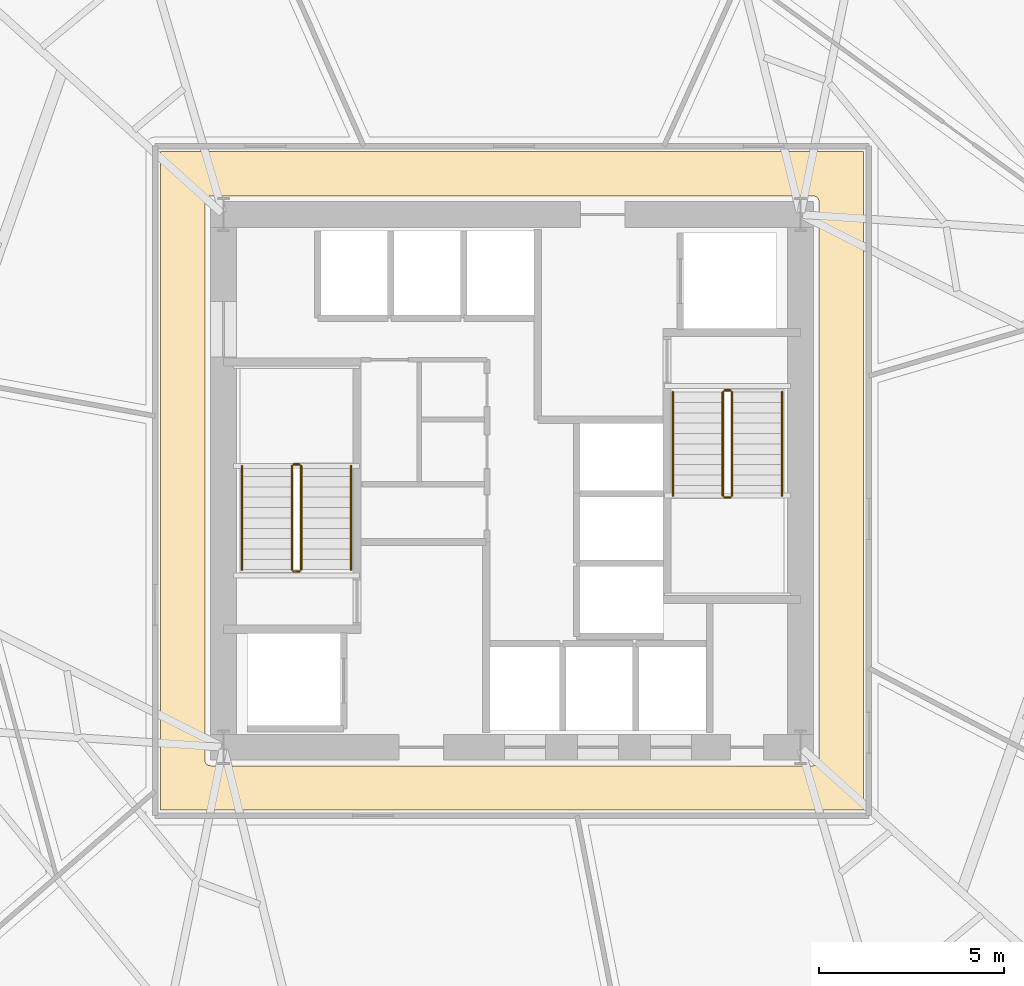
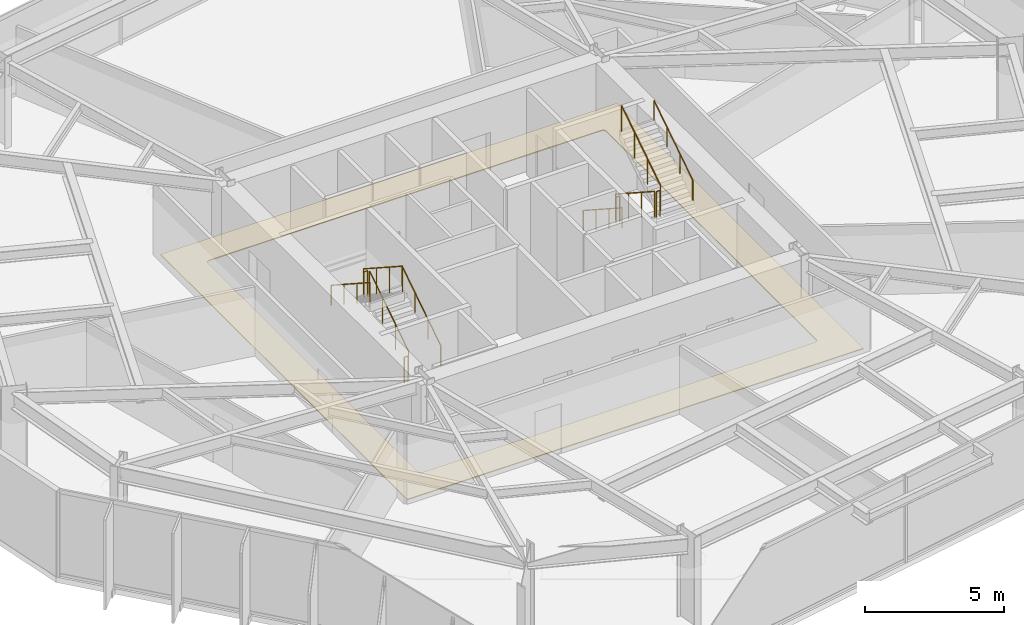
# One storey, part 9 of 10: 12 railings, 1 covering.
"""IFC4 building model written with IfcOpenShell, lengths in metres."""

from ifc_helpers import new_model, si_unit, direction, frame, origin, origin_2d, place, context, subcontext, project, spatial, polyline, circle, outline, extrude, material, layer, layer_set, type_object, element, save


model = new_model("IFC4")

# Units and contexts
model_context = context("Model", 3, precision=1e-05, world=origin(), true_north=direction((0.0, 1.0)))
body_context = subcontext(model_context, "Body", "Model", "MODEL_VIEW")
ifc_project = project(units=[si_unit("LENGTHUNIT", "METRE"), si_unit("AREAUNIT", "SQUARE_METRE"), si_unit("VOLUMEUNIT", "CUBIC_METRE"), si_unit("PLANEANGLEUNIT", "RADIAN"), si_unit("MASSUNIT", "GRAM", prefix="KILO")], contexts=[model_context])

# Site, building, storey
site_placement = place(None, origin())
site = spatial("IfcSite", under=ifc_project, at=site_placement, CompositionType="ELEMENT")
building_placement = place(site_placement, origin())
building = spatial("IfcBuilding", under=site, at=building_placement, Name="Kranzbogen Civic Tower", CompositionType="ELEMENT")
storey_placement = place(building_placement, frame((0.0, 0.0, 64.0)))
storey = spatial("IfcBuildingStorey", under=building, at=storey_placement, Name="L15", CompositionType="ELEMENT", Elevation=64.0)

# Covering
ifc_material_1 = material(Name="Honed Natural Stone Flooring", Category="masonry")
ifc_layer = layer(ifc_material_1, 0.0400390625, Name="Honed Natural Stone Flooring")
ifc_layer_set = layer_set([ifc_layer], Name="Honed Natural Stone Flooring")
covering_type = type_object("IfcCoveringType", Name="Honed Limestone Lobby Flooring 40 mm", PredefinedType="FLOORING", material=ifc_layer_set)
covering_placement = place(storey_placement, origin())
element("IfcCovering", 1, at=covering_placement, inside=storey, type_object=covering_type, Name="L15 concourse stone flooring 1", PredefinedType="FLOORING", context=body_context, shape_type="SweptSolid", body=[
    extrude(outline(polyline([(15.5, 33.89990234375), (34.5, 33.89990234375), (34.5, 16.10009765625), (15.5, 16.10009765625), (15.5, 33.89990234375)]), holes=[polyline([(33.14990234375, 32.699951171875), (33.1650390625, 32.698974609375), (33.178955078125, 32.697021484375), (33.194091796875, 32.694091796875), (33.20703125, 32.68896484375), (33.220947265625, 32.681884765625), (33.23291015625, 32.675048828125), (33.2451171875, 32.666015625), (33.256103515625, 32.656005859375), (33.26611328125, 32.64501953125), (33.27490234375, 32.633056640625), (33.281982421875, 32.62109375), (33.2890625, 32.60693359375), (33.2939453125, 32.593994140625), (33.297119140625, 32.5791015625), (33.299072265625, 32.56494140625), (33.300048828125, 32.550048828125), (33.300048828125, 17.449951171875), (33.299072265625, 17.43505859375), (33.297119140625, 17.4208984375), (33.2939453125, 17.406005859375), (33.2890625, 17.39306640625), (33.281982421875, 17.37890625), (33.27490234375, 17.366943359375), (33.26611328125, 17.35498046875), (33.256103515625, 17.343994140625), (33.2451171875, 17.333984375), (33.23291015625, 17.324951171875), (33.220947265625, 17.318115234375), (33.20703125, 17.31103515625), (33.194091796875, 17.305908203125), (33.178955078125, 17.302978515625), (33.1650390625, 17.301025390625), (33.14990234375, 17.300048828125), (16.85009765625, 17.300048828125), (16.8349609375, 17.301025390625), (16.821044921875, 17.302978515625), (16.805908203125, 17.305908203125), (16.79296875, 17.31103515625), (16.779052734375, 17.318115234375), (16.76708984375, 17.324951171875), (16.7548828125, 17.333984375), (16.743896484375, 17.343994140625), (16.73388671875, 17.35498046875), (16.72509765625, 17.366943359375), (16.718017578125, 17.37890625), (16.7109375, 17.39306640625), (16.7060546875, 17.406005859375), (16.702880859375, 17.4208984375), (16.700927734375, 17.43505859375), (16.699951171875, 17.449951171875), (16.699951171875, 32.550048828125), (16.700927734375, 32.56494140625), (16.702880859375, 32.5791015625), (16.7060546875, 32.593994140625), (16.7109375, 32.60693359375), (16.718017578125, 32.62109375), (16.72509765625, 32.633056640625), (16.73388671875, 32.64501953125), (16.743896484375, 32.656005859375), (16.7548828125, 32.666015625), (16.76708984375, 32.675048828125), (16.779052734375, 32.681884765625), (16.79296875, 32.68896484375), (16.805908203125, 32.694091796875), (16.821044921875, 32.697021484375), (16.8349609375, 32.698974609375), (16.85009765625, 32.699951171875), (33.14990234375, 32.699951171875)])]), origin(), (0.0, 0.0, 1.0), 0.0400390625),
])

# Railings
ifc_material_2 = material(Name="Steel S355", Category="steel")
railing_type_1 = type_object("IfcRailingType", Name="Internal Stair and Void Steel Guardrail 1150", PredefinedType="GUARDRAIL", material=ifc_material_2)
railing_1_placement = place(storey_placement, frame((19.300048828125, 22.60009765625, 0.181884765625)))
element("IfcRailing", 2, at=railing_1_placement, inside=storey, type_object=railing_type_1, Name="L15 ST-T1 stair guard 1", PredefinedType="GUARDRAIL", context=body_context, shape_type="SweptSolid", body=[
    extrude(circle(Radius=0.02392578125, at=origin_2d()), frame((0.0, 0.0, 1.1259765625), z_axis=(0.0, 0.83868413941, 0.544618136222), x_axis=(-1.0, 0.0, 0.0)), (0.0, 0.0, 1.0), 3.33837890625),
    extrude(circle(Radius=0.02099609375, at=origin_2d()), origin(), (0.0, 0.0, 1.0), 1.101806640625),
    extrude(circle(Radius=0.02099609375, at=origin_2d()), frame((0.0, 0.933349609375, 0.60595703125)), (0.0, 0.0, 1.0), 1.101806640625),
    extrude(circle(Radius=0.02099609375, at=origin_2d()), frame((0.0, 1.866455078125, 1.212158203125)), (0.0, 0.0, 1.0), 1.101806640625),
    extrude(circle(Radius=0.02099609375, at=origin_2d()), frame((0.0, 2.7998046875, 1.818115234375)), (0.0, 0.0, 1.0), 1.101806640625),
])
railing_2_placement = place(storey_placement, frame((19.25, 25.449951171875, 2.0)))
element("IfcRailing", 3, at=railing_2_placement, inside=storey, type_object=railing_type_1, Name="L15 ST-T1 stair guard 2", PredefinedType="GUARDRAIL", context=body_context, shape_type="SweptSolid", body=[
    extrude(circle(Radius=0.02392578125, at=origin_2d()), frame((0.0, 0.0, 1.1259765625), z_axis=(-1.0, 0.0, 0.0), x_axis=(0.0, -1.0, 0.0)), (0.0, 0.0, 1.0), 0.14990234375),
    extrude(circle(Radius=0.02099609375, at=origin_2d()), origin(), (0.0, 0.0, 1.0), 1.101806640625),
    extrude(circle(Radius=0.02099609375, at=origin_2d()), frame((-0.14990234375, 0.0, 0.0)), (0.0, 0.0, 1.0), 1.101806640625),
])
railing_3_placement = place(storey_placement, frame((19.050048828125, 25.39990234375, 2.181884765625)))
element("IfcRailing", 4, at=railing_3_placement, inside=storey, type_object=railing_type_1, Name="L15 ST-T1 stair guard 3", PredefinedType="GUARDRAIL", context=body_context, shape_type="SweptSolid", body=[
    extrude(circle(Radius=0.02392578125, at=origin_2d()), frame((0.0, 0.0, 1.1259765625), z_axis=(0.0, -0.83868413941, 0.544618136222), x_axis=(1.0, 0.0, 0.0)), (0.0, 0.0, 1.0), 3.33837890625),
    extrude(circle(Radius=0.02099609375, at=origin_2d()), origin(), (0.0, 0.0, 1.0), 1.101806640625),
    extrude(circle(Radius=0.02099609375, at=origin_2d()), frame((0.0, -0.933349609375, 0.60595703125)), (0.0, 0.0, 1.0), 1.101806640625),
    extrude(circle(Radius=0.02099609375, at=origin_2d()), frame((0.0, -1.866455078125, 1.212158203125)), (0.0, 0.0, 1.0), 1.101806640625),
    extrude(circle(Radius=0.02099609375, at=origin_2d()), frame((0.0, -2.7998046875, 1.818115234375)), (0.0, 0.0, 1.0), 1.101806640625),
])
railing_4_placement = place(storey_placement, frame((19.25, 22.550048828125, 0.0)))
element("IfcRailing", 5, at=railing_4_placement, inside=storey, type_object=railing_type_1, Name="L15 ST-T1 stair guard 4", PredefinedType="GUARDRAIL", context=body_context, shape_type="SweptSolid", body=[
    extrude(circle(Radius=0.02392578125, at=origin_2d()), frame((0.0, 0.0, 1.1259765625), z_axis=(-1.0, 0.0, 0.0), x_axis=(0.0, -1.0, 0.0)), (0.0, 0.0, 1.0), 0.14990234375),
    extrude(circle(Radius=0.02099609375, at=origin_2d()), origin(), (0.0, 0.0, 1.0), 1.101806640625),
    extrude(circle(Radius=0.02099609375, at=origin_2d()), frame((-0.14990234375, 0.0, 0.0)), (0.0, 0.0, 1.0), 1.101806640625),
])
railing_5_placement = place(storey_placement, frame((30.699951171875, 27.39990234375, 0.181884765625)))
element("IfcRailing", 6, at=railing_5_placement, inside=storey, type_object=railing_type_1, Name="L15 ST-T2 stair guard 1", PredefinedType="GUARDRAIL", context=body_context, shape_type="SweptSolid", body=[
    extrude(circle(Radius=0.02392578125, at=origin_2d()), frame((0.0, 0.0, 1.1259765625), z_axis=(0.0, -0.83868413941, 0.544618136222), x_axis=(1.0, 0.0, 0.0)), (0.0, 0.0, 1.0), 3.33837890625),
    extrude(circle(Radius=0.02099609375, at=origin_2d()), origin(), (0.0, 0.0, 1.0), 1.101806640625),
    extrude(circle(Radius=0.02099609375, at=origin_2d()), frame((0.0, -0.933349609375, 0.60595703125)), (0.0, 0.0, 1.0), 1.101806640625),
    extrude(circle(Radius=0.02099609375, at=origin_2d()), frame((0.0, -1.866455078125, 1.212158203125)), (0.0, 0.0, 1.0), 1.101806640625),
    extrude(circle(Radius=0.02099609375, at=origin_2d()), frame((0.0, -2.7998046875, 1.818115234375)), (0.0, 0.0, 1.0), 1.101806640625),
])
railing_6_placement = place(storey_placement, frame((30.75, 24.550048828125, 2.0)))
element("IfcRailing", 7, at=railing_6_placement, inside=storey, type_object=railing_type_1, Name="L15 ST-T2 stair guard 2", PredefinedType="GUARDRAIL", context=body_context, shape_type="SweptSolid", body=[
    extrude(circle(Radius=0.02392578125, at=origin_2d()), frame((0.0, 0.0, 1.1259765625), z_axis=(1.0, 0.0, 0.0), x_axis=(0.0, 1.0, 0.0)), (0.0, 0.0, 1.0), 0.14990234375),
    extrude(circle(Radius=0.02099609375, at=origin_2d()), origin(), (0.0, 0.0, 1.0), 1.101806640625),
    extrude(circle(Radius=0.02099609375, at=origin_2d()), frame((0.14990234375, 0.0, 0.0)), (0.0, 0.0, 1.0), 1.101806640625),
])
railing_7_placement = place(storey_placement, frame((30.949951171875, 24.60009765625, 2.181884765625)))
element("IfcRailing", 8, at=railing_7_placement, inside=storey, type_object=railing_type_1, Name="L15 ST-T2 stair guard 3", PredefinedType="GUARDRAIL", context=body_context, shape_type="SweptSolid", body=[
    extrude(circle(Radius=0.02392578125, at=origin_2d()), frame((0.0, 0.0, 1.1259765625), z_axis=(0.0, 0.83868413941, 0.544618136222), x_axis=(-1.0, 0.0, 0.0)), (0.0, 0.0, 1.0), 3.33837890625),
    extrude(circle(Radius=0.02099609375, at=origin_2d()), origin(), (0.0, 0.0, 1.0), 1.101806640625),
    extrude(circle(Radius=0.02099609375, at=origin_2d()), frame((0.0, 0.933349609375, 0.60595703125)), (0.0, 0.0, 1.0), 1.101806640625),
    extrude(circle(Radius=0.02099609375, at=origin_2d()), frame((0.0, 1.866455078125, 1.212158203125)), (0.0, 0.0, 1.0), 1.101806640625),
    extrude(circle(Radius=0.02099609375, at=origin_2d()), frame((0.0, 2.7998046875, 1.818115234375)), (0.0, 0.0, 1.0), 1.101806640625),
])
railing_8_placement = place(storey_placement, frame((30.75, 27.449951171875, 0.0)))
element("IfcRailing", 9, at=railing_8_placement, inside=storey, type_object=railing_type_1, Name="L15 ST-T2 stair guard 4", PredefinedType="GUARDRAIL", context=body_context, shape_type="SweptSolid", body=[
    extrude(circle(Radius=0.02392578125, at=origin_2d()), frame((0.0, 0.0, 1.1259765625), z_axis=(1.0, 0.0, 0.0), x_axis=(0.0, 1.0, 0.0)), (0.0, 0.0, 1.0), 0.14990234375),
    extrude(circle(Radius=0.02099609375, at=origin_2d()), origin(), (0.0, 0.0, 1.0), 1.101806640625),
    extrude(circle(Radius=0.02099609375, at=origin_2d()), frame((0.14990234375, 0.0, 0.0)), (0.0, 0.0, 1.0), 1.101806640625),
])
ifc_material_3 = material(Name="Pale Anodised Aluminium", Category="aluminium")
railing_type_2 = type_object("IfcRailingType", Name="Tubular Stainless Stair Wall Handrail 900", PredefinedType="HANDRAIL", material=ifc_material_3)
railing_9_placement = place(storey_placement, frame((20.64990234375, 22.60009765625, 0.181884765625)))
element("IfcRailing", 10, at=railing_9_placement, inside=storey, type_object=railing_type_2, Name="L15 ST-T1 stair handrail 1", PredefinedType="HANDRAIL", context=body_context, shape_type="SweptSolid", body=[
    extrude(circle(Radius=0.02392578125, at=origin_2d()), frame((0.0, 0.0, 0.8759765625), z_axis=(0.0, 0.83868413941, 0.544618136222), x_axis=(-1.0, 0.0, 0.0)), (0.0, 0.0, 1.0), 3.33837890625),
    extrude(circle(Radius=0.02099609375, at=origin_2d()), origin(), (0.0, 0.0, 1.0), 0.851806640625),
    extrude(circle(Radius=0.02099609375, at=origin_2d()), frame((0.0, 0.933349609375, 0.60595703125)), (0.0, 0.0, 1.0), 0.851806640625),
    extrude(circle(Radius=0.02099609375, at=origin_2d()), frame((0.0, 1.866455078125, 1.212158203125)), (0.0, 0.0, 1.0), 0.851806640625),
    extrude(circle(Radius=0.02099609375, at=origin_2d()), frame((0.0, 2.7998046875, 1.818115234375)), (0.0, 0.0, 1.0), 0.851806640625),
])
for number, where, name in (
    (11, (17.699951171875, 25.39990234375, 2.181884765625), "L15 ST-T1 stair handrail 2"),
    (12, (29.35009765625, 27.39990234375, 0.181884765625), "L15 ST-T2 stair handrail 1"),
):
    element("IfcRailing", number, at=place(storey_placement, frame(where)), inside=storey, type_object=railing_type_2, Name=name, PredefinedType="HANDRAIL", context=body_context, shape_type="SweptSolid", body=[
        extrude(circle(Radius=0.02392578125, at=origin_2d()), frame((0.0, 0.0, 0.8759765625), z_axis=(0.0, -0.83868413941, 0.544618136222), x_axis=(1.0, 0.0, 0.0)), (0.0, 0.0, 1.0), 3.33837890625),
        extrude(circle(Radius=0.02099609375, at=origin_2d()), origin(), (0.0, 0.0, 1.0), 0.851806640625),
        extrude(circle(Radius=0.02099609375, at=origin_2d()), frame((0.0, -0.933349609375, 0.60595703125)), (0.0, 0.0, 1.0), 0.851806640625),
        extrude(circle(Radius=0.02099609375, at=origin_2d()), frame((0.0, -1.866455078125, 1.212158203125)), (0.0, 0.0, 1.0), 0.851806640625),
        extrude(circle(Radius=0.02099609375, at=origin_2d()), frame((0.0, -2.7998046875, 1.818115234375)), (0.0, 0.0, 1.0), 0.851806640625),
    ])
railing_10_placement = place(storey_placement, frame((32.300048828125, 24.60009765625, 2.181884765625)))
element("IfcRailing", 13, at=railing_10_placement, inside=storey, type_object=railing_type_2, Name="L15 ST-T2 stair handrail 2", PredefinedType="HANDRAIL", context=body_context, shape_type="SweptSolid", body=[
    extrude(circle(Radius=0.02392578125, at=origin_2d()), frame((0.0, 0.0, 0.8759765625), z_axis=(0.0, 0.83868413941, 0.544618136222), x_axis=(-1.0, 0.0, 0.0)), (0.0, 0.0, 1.0), 3.33837890625),
    extrude(circle(Radius=0.02099609375, at=origin_2d()), origin(), (0.0, 0.0, 1.0), 0.851806640625),
    extrude(circle(Radius=0.02099609375, at=origin_2d()), frame((0.0, 0.933349609375, 0.60595703125)), (0.0, 0.0, 1.0), 0.851806640625),
    extrude(circle(Radius=0.02099609375, at=origin_2d()), frame((0.0, 1.866455078125, 1.212158203125)), (0.0, 0.0, 1.0), 0.851806640625),
    extrude(circle(Radius=0.02099609375, at=origin_2d()), frame((0.0, 2.7998046875, 1.818115234375)), (0.0, 0.0, 1.0), 0.851806640625),
])

save(model, "model.ifc")
